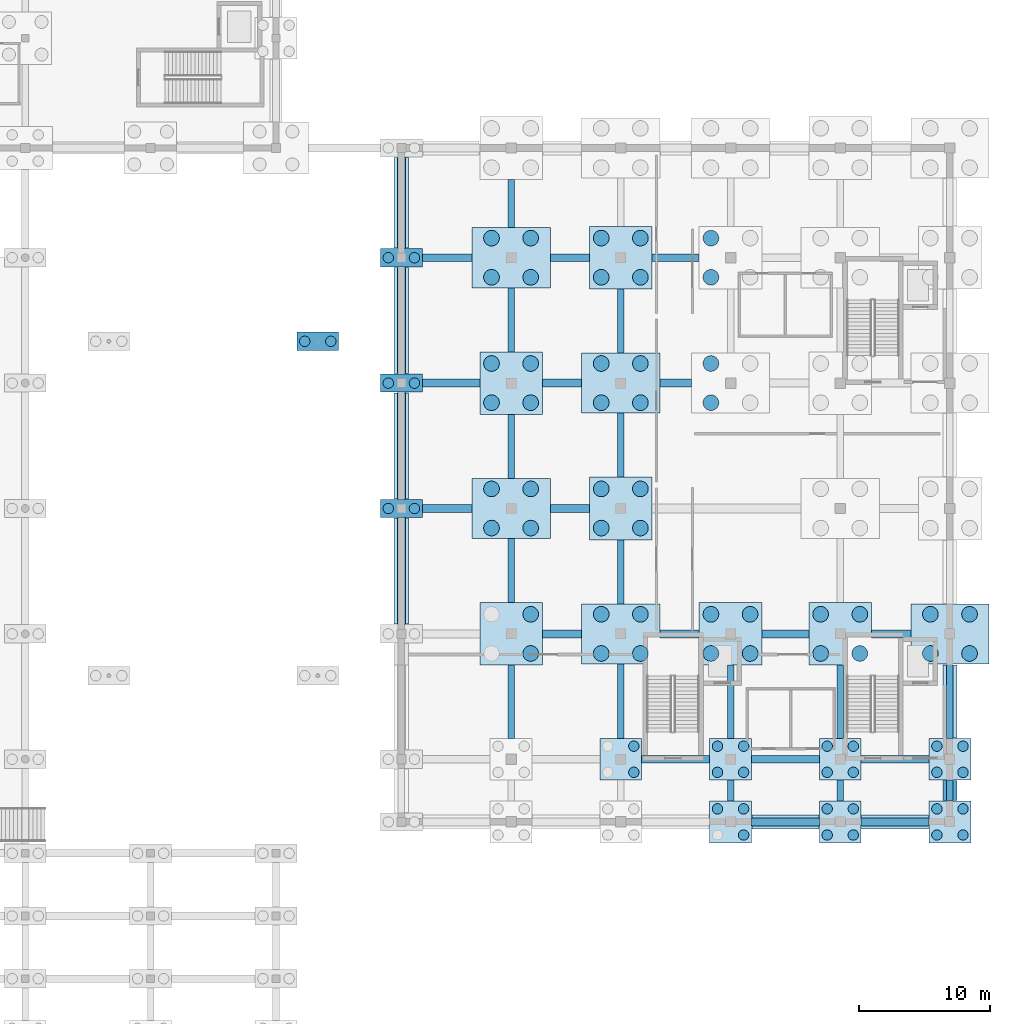
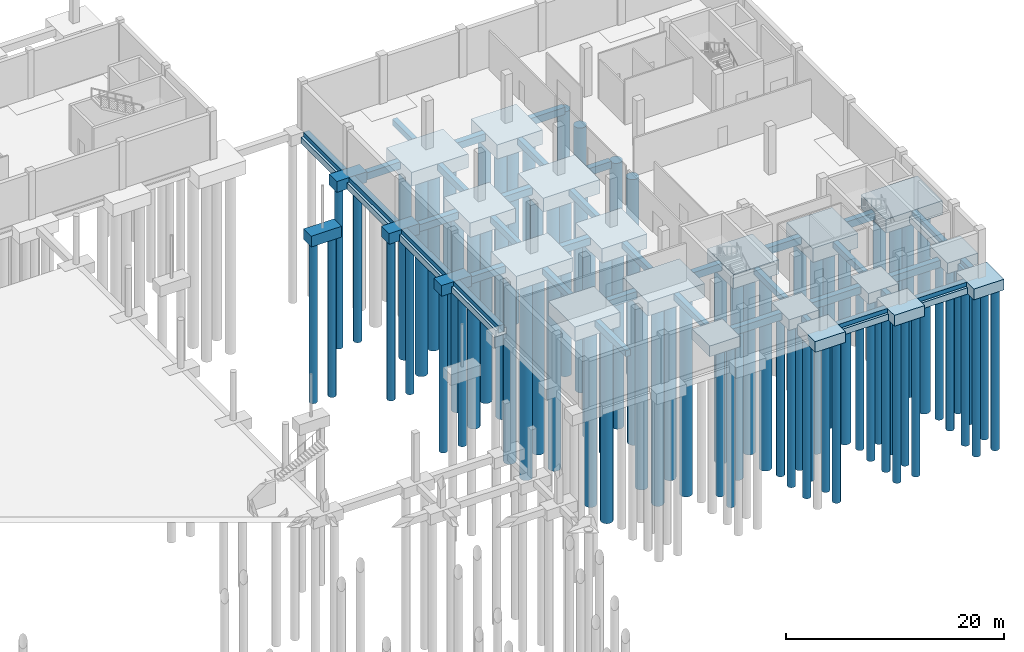
# One storey, part 8 of 41: 79 piles, 66 footings.
"""IFC4 building model written with IfcOpenShell, lengths in metres."""

import ifcopenshell
import ifcopenshell.guid

model = None  # the IFC model being written
_history = None  # IfcOwnerHistory: only IFC2X3 demands one
_inside = {}  # id of a spatial element -> (the spatial element, [elements in it])
_under = {}  # id of a project, library or spatial element -> (it, [spatial elements below it])
_declared = {}  # id of a project -> (the project, [libraries it declares])
_typed = {}  # id of a type object -> (the type object, [elements of that type])
_made_of = {}  # id of a material, layer set ... -> (it, [elements and type objects made of it])


def new_model(schema):
    """Start an empty IFC model of exactly this schema.

    Asked for "IFC4X3", IfcOpenShell would pick the latest addendum, in which some entities
    have other attributes; the version numbers below select the first issue.
    IFC2X3 requires an IfcOwnerHistory on every rooted entity: one is made here for all.
    """
    global model, _history
    if schema == "IFC4X3":
        model = ifcopenshell.file(schema_version=(4, 3, 0, 0))
    else:
        model = ifcopenshell.file(schema=schema)
    _inside.clear()
    _under.clear()
    _declared.clear()
    _typed.clear()
    _made_of.clear()
    _history = None
    if model.schema == "IFC2X3":
        org = make("IfcOrganization", Name="unknown")
        user = make(
            "IfcPersonAndOrganization",
            ThePerson=make("IfcPerson", FamilyName="unknown"),
            TheOrganization=org,
        )
        app = make(
            "IfcApplication",
            ApplicationDeveloper=org,
            Version="unknown",
            ApplicationFullName="unknown",
            ApplicationIdentifier="unknown",
        )
        _history = make(
            "IfcOwnerHistory",
            OwningUser=user,
            OwningApplication=app,
            ChangeAction="ADDED",
            CreationDate=0,
        )
    return model


def make(cls, **values):
    """One entity of the class cls with the attributes given. An attribute that is None is left unset."""
    return model.create_entity(
        cls, **{name: value for name, value in values.items() if value is not None}
    )


def rooted(cls, **values):
    """An entity with a GlobalId (a new one), such as an element, a storey or a relation."""
    return make(cls, GlobalId=ifcopenshell.guid.new(), OwnerHistory=_history, **values)


def si_unit(unit_type, name, prefix=None):
    """IfcSIUnit, for example si_unit("LENGTHUNIT", "METRE", prefix="MILLI")."""
    return make("IfcSIUnit", UnitType=unit_type, Prefix=prefix, Name=name)


def assignment(units):
    """IfcUnitAssignment: the units of a project."""
    return None if units is None else make("IfcUnitAssignment", Units=units)


def point(xyz):
    """IfcCartesianPoint."""
    return None if xyz is None else make("IfcCartesianPoint", Coordinates=xyz)


def direction(xyz):
    """IfcDirection."""
    return None if xyz is None else make("IfcDirection", DirectionRatios=xyz)


def frame(location, z_axis=None, x_axis=None):
    """IfcAxis2Placement3D, a coordinate frame: its origin and axes. An axis left out is left unset."""
    return make(
        "IfcAxis2Placement3D",
        Location=point(location),
        Axis=direction(z_axis),
        RefDirection=direction(x_axis),
    )


def frame_2d(location, x_axis=None):
    """IfcAxis2Placement2D, a coordinate frame in the plane: its origin and x axis."""
    return make(
        "IfcAxis2Placement2D", Location=point(location), RefDirection=direction(x_axis)
    )


def origin():
    """The frame at (0, 0, 0) with its axes left unset."""
    return frame((0.0, 0.0, 0.0))


def origin_2d():
    """The frame at (0, 0) in the plane with its x axis left unset."""
    return frame_2d((0.0, 0.0))


def place(relative_to, where):
    """IfcLocalPlacement: puts the frame where relative to a parent placement (None: the world)."""
    return make(
        "IfcLocalPlacement", PlacementRelTo=relative_to, RelativePlacement=where
    )


def context(
    kind, dimensions, precision=None, world=None, true_north=None, identifier=None
):
    """IfcGeometricRepresentationContext, for example the 3D "Model" context."""
    return make(
        "IfcGeometricRepresentationContext",
        ContextIdentifier=identifier,
        ContextType=kind,
        CoordinateSpaceDimension=dimensions,
        Precision=precision,
        WorldCoordinateSystem=world,
        TrueNorth=true_north,
    )


def subcontext(parent, identifier, kind, view, scale=None):
    """IfcGeometricRepresentationSubContext, for example "Body" below "Model"."""
    return make(
        "IfcGeometricRepresentationSubContext",
        ContextIdentifier=identifier,
        ContextType=kind,
        ParentContext=parent,
        TargetScale=scale,
        TargetView=view,
    )


def project(units=None, contexts=None):
    """IfcProject with its units and contexts."""
    return rooted(
        "IfcProject",
        Name="project",
        RepresentationContexts=contexts,
        UnitsInContext=assignment(units),
    )


def spatial(cls, under=None, at=None, **own):
    """A site, building, storey or space (cls), placed at a placement, below another one or the project."""
    s = rooted(cls, ObjectPlacement=at, **own)
    if under is not None:
        _under.setdefault(under.id(), (under, []))[1].append(s)
    return s


def profile(cls, at=None, kind="AREA", **sizes):
    """A parametric profile (cls). Its sizes go by their IFC names, for example OverallWidth=200.0."""
    return make(cls, ProfileType=kind, Position=at, **sizes)


def rectangle(**sizes):
    """IfcRectangleProfileDef."""
    return profile("IfcRectangleProfileDef", **sizes)


def circle(**sizes):
    """IfcCircleProfileDef."""
    return profile("IfcCircleProfileDef", **sizes)


def extrude(swept, where, along, depth):
    """IfcExtrudedAreaSolid: the profile swept, set in the frame where, extruded along a direction by depth."""
    return make(
        "IfcExtrudedAreaSolid",
        SweptArea=swept,
        Position=where,
        ExtrudedDirection=direction(along),
        Depth=depth,
    )


def shape(context_of_items, identifier, shape_type, items):
    """IfcShapeRepresentation: the items that make up one representation, for example the "Body"."""
    return make(
        "IfcShapeRepresentation",
        ContextOfItems=context_of_items,
        RepresentationIdentifier=identifier,
        RepresentationType=shape_type,
        Items=items,
    )


def material(Name=None, Category=None):
    """IfcMaterial."""
    return make("IfcMaterial", Name=Name, Category=Category)


def material_profile(
    of_material, cross_section, Name=None, Category=None, Priority=None
):
    """IfcMaterialProfile: a cross section and its material."""
    return make(
        "IfcMaterialProfile",
        Name=Name,
        Material=of_material,
        Profile=cross_section,
        Priority=Priority,
        Category=Category,
    )


def profile_set(profiles, Name=None, composite=None):
    """IfcMaterialProfileSet."""
    return make(
        "IfcMaterialProfileSet",
        Name=Name,
        MaterialProfiles=profiles,
        CompositeProfile=composite,
    )


def made_of(thing, what):
    """Note that an element or type object is made of a material, layer set ...; save() writes the relation."""
    if what is not None:
        _made_of.setdefault(what.id(), (what, []))[1].append(thing)
    return thing


def type_object(cls, material=None, **own):
    """A type object (cls), such as IfcWallType, which elements share."""
    return made_of(rooted(cls, **own), material)


def element(
    cls,
    number,
    at=None,
    inside=None,
    cuts=None,
    type_object=None,
    material=None,
    context=None,
    identifier="Body",
    shape_type=None,
    held_by="IfcProductDefinitionShape",
    body=None,
    shapes=None,
    **own,
):
    """One element of the class cls, such as IfcWall. Its Tag is "e" and its number.

    at: its placement. inside: the storey or other place that contains it. cuts: it is an
    opening in that element (IfcRelVoidsElement). A single representation is given by context,
    identifier, shape_type and body (its items); several are given by shapes. held_by: the class
    of the entity that holds the representations. save() writes the other relations.
    """
    e = rooted(cls, Tag="e%d" % number, ObjectPlacement=at, **own)
    if body is not None:
        shapes = [shape(context, identifier, shape_type, body)]
    if shapes is not None:
        e.Representation = make(held_by, Representations=shapes)
    if inside is not None:
        _inside.setdefault(inside.id(), (inside, []))[1].append(e)
    if cuts is not None:
        rooted(
            "IfcRelVoidsElement", RelatingBuildingElement=cuts, RelatedOpeningElement=e
        )
    if type_object is not None:
        _typed.setdefault(type_object.id(), (type_object, []))[1].append(e)
    return made_of(e, material)


def aggregate(whole, parts):
    """IfcRelAggregates: a whole, such as a stair, and the parts it consists of."""
    return rooted("IfcRelAggregates", RelatingObject=whole, RelatedObjects=parts)


def save(model, path):
    """Write the relations noted so far, then the file.

    IfcRelAggregates (storeys below a building ...), IfcRelContainedInSpatialStructure (elements
    in a storey), IfcRelDefinesByType, IfcRelAssociatesMaterial and IfcRelDeclares: one each for
    every whole, place, type object, material and project.
    """
    for whole, parts in _under.values():
        aggregate(whole, parts)
    for where, things in _inside.values():
        rooted(
            "IfcRelContainedInSpatialStructure",
            RelatedElements=things,
            RelatingStructure=where,
        )
    for kind, things in _typed.values():
        rooted("IfcRelDefinesByType", RelatedObjects=things, RelatingType=kind)
    for what, things in _made_of.values():
        rooted("IfcRelAssociatesMaterial", RelatedObjects=things, RelatingMaterial=what)
    for by, libraries in _declared.values():
        rooted("IfcRelDeclares", RelatingContext=by, RelatedDefinitions=libraries)
    model.write(path)


model = new_model("IFC4")

# Units and contexts
model_context = context("Model", 3, precision=1e-05, world=origin(), true_north=direction((0.0, 1.0)))
body_context = subcontext(model_context, "Body", "Model", "MODEL_VIEW")
ifc_project = project(units=[si_unit("LENGTHUNIT", "METRE"), si_unit("AREAUNIT", "SQUARE_METRE"), si_unit("VOLUMEUNIT", "CUBIC_METRE"), si_unit("PLANEANGLEUNIT", "RADIAN"), si_unit("MASSUNIT", "GRAM", prefix="KILO")], contexts=[model_context])

# Site, building, storey
site_placement = place(None, origin())
site = spatial("IfcSite", under=ifc_project, at=site_placement, CompositionType="ELEMENT")
building_placement = place(site_placement, origin())
building = spatial("IfcBuilding", under=site, at=building_placement, Name="Shalvenor Court Art Gallery", CompositionType="ELEMENT")
storey_placement = place(building_placement, frame((0.0, 0.0, -5.39990234375)))
storey = spatial("IfcBuildingStorey", under=building, at=storey_placement, Name="B01", CompositionType="ELEMENT", Elevation=-5.39990234375)

# Footings
ifc_material_1 = material(Name="Concrete C35/45", Category="concrete")
footing_type_1 = type_object("IfcFootingType", Name="GB-01", PredefinedType="FOOTING_BEAM", material=ifc_material_1)
for number, where, z_axis, x_axis, name in (
    (1, (134.39990234375, 64.800048828125, -0.80029296875), (0.0, 0.0, 1.0), (0.0, 1.0, 0.0), "B01 Ground Tie Beam FTG-302"),
    (2, (134.39990234375, 74.39990234375, -0.80029296875), (0.0, 0.0, 1.0), (0.0, 1.0, 0.0), "B01 Ground Tie Beam FTG-303"),
    (3, (134.39990234375, 84.0, -0.80029296875), (0.0, 0.0, 1.0), (0.0, 1.0, 0.0), "B01 Ground Tie Beam FTG-304"),
):
    element("IfcFooting", number, at=place(storey_placement, frame(where, z_axis=z_axis, x_axis=x_axis)), inside=storey, type_object=footing_type_1, Name=name, PredefinedType="FOOTING_BEAM", context=body_context, shape_type="SweptSolid", body=[
        extrude(rectangle(XDim=8.199951171875, YDim=0.60009765625, at=origin_2d()), origin(), (0.0, 0.0, 1.0), 0.800048828125),
    ])
footing_1_placement = place(storey_placement, frame((134.39990234375, 93.0, -0.80029296875), z_axis=(0.0, 0.0, 1.0), x_axis=(0.0, 1.0, 0.0)))
element("IfcFooting", 4, at=footing_1_placement, inside=storey, type_object=footing_type_1, Name="B01 Ground Tie Beam FTG-305", PredefinedType="FOOTING_BEAM", context=body_context, shape_type="SweptSolid", body=[
    extrude(rectangle(XDim=7.0, YDim=0.60009765625, at=origin_2d()), origin(), (0.0, 0.0, 1.0), 0.800048828125),
])
for number, where, z_axis, x_axis, name in (
    (5, (163.800048828125, 45.60009765625, -0.80029296875), (0.0, 0.0, 1.0), (1.0, 0.0, 0.0), "B01 Ground Tie Beam FTG-390"),
    (6, (172.199951171875, 45.60009765625, -0.80029296875), (0.0, 0.0, 1.0), (1.0, 0.0, 0.0), "B01 Ground Tie Beam FTG-391"),
    (7, (155.39990234375, 50.39990234375, -1.26025390625), (0.0, 0.0, 1.0), (1.0, 0.0, 0.0), "B01 Ground Tie Beam FTG-395"),
    (8, (163.800048828125, 50.39990234375, -1.26025390625), (0.0, 0.0, 1.0), (1.0, 0.0, 0.0), "B01 Ground Tie Beam FTG-396"),
    (9, (172.199951171875, 50.39990234375, -1.26025390625), (0.0, 0.0, 1.0), (1.0, 0.0, 0.0), "B01 Ground Tie Beam FTG-397"),
):
    element("IfcFooting", number, at=place(storey_placement, frame(where, z_axis=z_axis, x_axis=x_axis)), inside=storey, type_object=footing_type_1, Name=name, PredefinedType="FOOTING_BEAM", context=body_context, shape_type="SweptSolid", body=[
        extrude(rectangle(XDim=5.199951171875, YDim=0.60009765625, at=origin_2d()), origin(), (0.0, 0.0, 1.0), 0.800048828125),
    ])
for number, where, z_axis, x_axis, name in (
    (10, (146.699951171875, 60.0, -1.26025390625), (0.0, 0.0, 1.0), (1.0, 0.0, 0.0), "B01 Ground Tie Beam FTG-402"),
    (11, (155.699951171875, 60.0, -1.26025390625), (0.0, 0.0, 1.0), (1.0, 0.0, 0.0), "B01 Ground Tie Beam FTG-403"),
):
    element("IfcFooting", number, at=place(storey_placement, frame(where, z_axis=z_axis, x_axis=x_axis)), inside=storey, type_object=footing_type_1, Name=name, PredefinedType="FOOTING_BEAM", context=body_context, shape_type="SweptSolid", body=[
        extrude(rectangle(XDim=3.0, YDim=0.60009765625, at=origin_2d()), origin(), (0.0, 0.0, 1.0), 0.800048828125),
    ])
footing_2_placement = place(storey_placement, frame((163.800048828125, 60.0, -1.26025390625), z_axis=(0.0, 0.0, 1.0), x_axis=(1.0, 0.0, 0.0)))
element("IfcFooting", 12, at=footing_2_placement, inside=storey, type_object=footing_type_1, Name="B01 Ground Tie Beam FTG-404", PredefinedType="FOOTING_BEAM", context=body_context, shape_type="SweptSolid", body=[
    extrude(rectangle(XDim=3.60009765625, YDim=0.60009765625, at=origin_2d()), origin(), (0.0, 0.0, 1.0), 0.800048828125),
])
footing_3_placement = place(storey_placement, frame((171.89990234375, 60.0, -1.26025390625), z_axis=(0.0, 0.0, 1.0), x_axis=(1.0, 0.0, 0.0)))
element("IfcFooting", 13, at=footing_3_placement, inside=storey, type_object=footing_type_1, Name="B01 Ground Tie Beam FTG-405", PredefinedType="FOOTING_BEAM", context=body_context, shape_type="SweptSolid", body=[
    extrude(rectangle(XDim=3.0, YDim=0.60009765625, at=origin_2d()), origin(), (0.0, 0.0, 1.0), 0.800048828125),
])
footing_4_placement = place(storey_placement, frame((137.89990234375, 69.60009765625, -1.26025390625), z_axis=(0.0, 0.0, 1.0), x_axis=(1.0, 0.0, 0.0)))
element("IfcFooting", 14, at=footing_4_placement, inside=storey, type_object=footing_type_1, Name="B01 Ground Tie Beam FTG-410", PredefinedType="FOOTING_BEAM", context=body_context, shape_type="SweptSolid", body=[
    extrude(rectangle(XDim=3.800048828125, YDim=0.60009765625, at=origin_2d()), origin(), (0.0, 0.0, 1.0), 0.800048828125),
])
footing_5_placement = place(storey_placement, frame((147.300048828125, 69.60009765625, -1.26025390625), z_axis=(0.0, 0.0, 1.0), x_axis=(1.0, 0.0, 0.0)))
element("IfcFooting", 15, at=footing_5_placement, inside=storey, type_object=footing_type_1, Name="B01 Ground Tie Beam FTG-411", PredefinedType="FOOTING_BEAM", context=body_context, shape_type="SweptSolid", body=[
    extrude(rectangle(XDim=3.0, YDim=0.60009765625, at=origin_2d()), origin(), (0.0, 0.0, 1.0), 0.800048828125),
])
footing_6_placement = place(storey_placement, frame((138.199951171875, 79.199951171875, -1.26025390625), z_axis=(0.0, 0.0, 1.0), x_axis=(1.0, 0.0, 0.0)))
element("IfcFooting", 16, at=footing_6_placement, inside=storey, type_object=footing_type_1, Name="B01 Ground Tie Beam FTG-418", PredefinedType="FOOTING_BEAM", context=body_context, shape_type="SweptSolid", body=[
    extrude(rectangle(XDim=4.39990234375, YDim=0.60009765625, at=origin_2d()), origin(), (0.0, 0.0, 1.0), 0.800048828125),
])
footing_7_placement = place(storey_placement, frame((146.699951171875, 79.199951171875, -1.26025390625), z_axis=(0.0, 0.0, 1.0), x_axis=(1.0, 0.0, 0.0)))
element("IfcFooting", 17, at=footing_7_placement, inside=storey, type_object=footing_type_1, Name="B01 Ground Tie Beam FTG-419", PredefinedType="FOOTING_BEAM", context=body_context, shape_type="SweptSolid", body=[
    extrude(rectangle(XDim=3.0, YDim=0.60009765625, at=origin_2d()), origin(), (0.0, 0.0, 1.0), 0.800048828125),
])
footing_8_placement = place(storey_placement, frame((155.39990234375, 79.199951171875, -1.26025390625), z_axis=(0.0, 0.0, 1.0), x_axis=(1.0, 0.0, 0.0)))
element("IfcFooting", 18, at=footing_8_placement, inside=storey, type_object=footing_type_1, Name="B01 Ground Tie Beam FTG-420", PredefinedType="FOOTING_BEAM", context=body_context, shape_type="SweptSolid", body=[
    extrude(rectangle(XDim=2.39990234375, YDim=0.60009765625, at=origin_2d()), origin(), (0.0, 0.0, 1.0), 0.800048828125),
])
footing_9_placement = place(storey_placement, frame((137.89990234375, 88.800048828125, -1.26025390625), z_axis=(0.0, 0.0, 1.0), x_axis=(1.0, 0.0, 0.0)))
element("IfcFooting", 19, at=footing_9_placement, inside=storey, type_object=footing_type_1, Name="B01 Ground Tie Beam FTG-427", PredefinedType="FOOTING_BEAM", context=body_context, shape_type="SweptSolid", body=[
    extrude(rectangle(XDim=3.800048828125, YDim=0.60009765625, at=origin_2d()), origin(), (0.0, 0.0, 1.0), 0.800048828125),
])
footing_10_placement = place(storey_placement, frame((147.300048828125, 88.800048828125, -1.26025390625), z_axis=(0.0, 0.0, 1.0), x_axis=(1.0, 0.0, 0.0)))
element("IfcFooting", 20, at=footing_10_placement, inside=storey, type_object=footing_type_1, Name="B01 Ground Tie Beam FTG-428", PredefinedType="FOOTING_BEAM", context=body_context, shape_type="SweptSolid", body=[
    extrude(rectangle(XDim=3.0, YDim=0.60009765625, at=origin_2d()), origin(), (0.0, 0.0, 1.0), 0.800048828125),
])
footing_11_placement = place(storey_placement, frame((155.39990234375, 88.800048828125, -1.26025390625), z_axis=(0.0, 0.0, 1.0), x_axis=(1.0, 0.0, 0.0)))
element("IfcFooting", 21, at=footing_11_placement, inside=storey, type_object=footing_type_1, Name="B01 Ground Tie Beam FTG-429", PredefinedType="FOOTING_BEAM", context=body_context, shape_type="SweptSolid", body=[
    extrude(rectangle(XDim=3.60009765625, YDim=0.60009765625, at=origin_2d()), origin(), (0.0, 0.0, 1.0), 0.800048828125),
])
ifc_material_2 = material(Name="Concrete C35/45", Category="concrete")
footing_type_2 = type_object("IfcFootingType", Name="GB-02", PredefinedType="FOOTING_BEAM", material=ifc_material_2)
footing_12_placement = place(storey_placement, frame((142.800048828125, 54.800048828125, -1.16015625), z_axis=(0.0, 0.0, 1.0), x_axis=(0.0, 1.0, 0.0)))
element("IfcFooting", 22, at=footing_12_placement, inside=storey, type_object=footing_type_2, Name="B01 Ground Tie Beam FTG-307", PredefinedType="FOOTING_BEAM", context=body_context, shape_type="SweptSolid", body=[
    extrude(rectangle(XDim=5.60009765625, YDim=0.5, at=origin_2d()), origin(), (0.0, 0.0, 1.0), 0.699951171875),
])
for number, where, z_axis, x_axis, name in (
    (23, (142.800048828125, 64.85009765625, -1.16015625), (0.0, 0.0, 1.0), (0.0, 1.0, 0.0), "B01 Ground Tie Beam FTG-308"),
    (24, (142.800048828125, 74.35009765625, -1.16015625), (0.0, 0.0, 1.0), (0.0, 1.0, 0.0), "B01 Ground Tie Beam FTG-309"),
    (25, (142.800048828125, 84.050048828125, -1.16015625), (0.0, 0.0, 1.0), (0.0, 1.0, 0.0), "B01 Ground Tie Beam FTG-310"),
):
    element("IfcFooting", number, at=place(storey_placement, frame(where, z_axis=z_axis, x_axis=x_axis)), inside=storey, type_object=footing_type_2, Name=name, PredefinedType="FOOTING_BEAM", context=body_context, shape_type="SweptSolid", body=[
        extrude(rectangle(XDim=4.89990234375, YDim=0.5, at=origin_2d()), origin(), (0.0, 0.0, 1.0), 0.699951171875),
    ])
footing_13_placement = place(storey_placement, frame((142.800048828125, 92.949951171875, -1.16015625), z_axis=(0.0, 0.0, 1.0), x_axis=(0.0, 1.0, 0.0)))
element("IfcFooting", 26, at=footing_13_placement, inside=storey, type_object=footing_type_2, Name="B01 Ground Tie Beam FTG-311", PredefinedType="FOOTING_BEAM", context=body_context, shape_type="SweptSolid", body=[
    extrude(rectangle(XDim=3.699951171875, YDim=0.5, at=origin_2d()), origin(), (0.0, 0.0, 1.0), 0.699951171875),
])
footing_14_placement = place(storey_placement, frame((151.199951171875, 54.85009765625, -1.16015625), z_axis=(0.0, 0.0, 1.0), x_axis=(0.0, 1.0, 0.0)))
element("IfcFooting", 27, at=footing_14_placement, inside=storey, type_object=footing_type_2, Name="B01 Ground Tie Beam FTG-313", PredefinedType="FOOTING_BEAM", context=body_context, shape_type="SweptSolid", body=[
    extrude(rectangle(XDim=5.699951171875, YDim=0.5, at=origin_2d()), origin(), (0.0, 0.0, 1.0), 0.699951171875),
])
for number, where, z_axis, x_axis, name in (
    (28, (151.199951171875, 64.75, -1.16015625), (0.0, 0.0, 1.0), (0.0, 1.0, 0.0), "B01 Ground Tie Beam FTG-314"),
    (29, (151.199951171875, 74.449951171875, -1.16015625), (0.0, 0.0, 1.0), (0.0, 1.0, 0.0), "B01 Ground Tie Beam FTG-315"),
    (30, (151.199951171875, 83.949951171875, -1.16015625), (0.0, 0.0, 1.0), (0.0, 1.0, 0.0), "B01 Ground Tie Beam FTG-316"),
):
    element("IfcFooting", number, at=place(storey_placement, frame(where, z_axis=z_axis, x_axis=x_axis)), inside=storey, type_object=footing_type_2, Name=name, PredefinedType="FOOTING_BEAM", context=body_context, shape_type="SweptSolid", body=[
        extrude(rectangle(XDim=4.89990234375, YDim=0.5, at=origin_2d()), origin(), (0.0, 0.0, 1.0), 0.699951171875),
    ])
footing_15_placement = place(storey_placement, frame((159.60009765625, 48.0, -1.16015625), z_axis=(0.0, 0.0, 1.0), x_axis=(0.0, 1.0, 0.0)))
element("IfcFooting", 31, at=footing_15_placement, inside=storey, type_object=footing_type_2, Name="B01 Ground Tie Beam FTG-318", PredefinedType="FOOTING_BEAM", context=body_context, shape_type="SweptSolid", body=[
    extrude(rectangle(XDim=1.60009765625, YDim=0.5, at=origin_2d()), origin(), (0.0, 0.0, 1.0), 0.699951171875),
])
footing_16_placement = place(storey_placement, frame((159.60009765625, 54.800048828125, -1.16015625), z_axis=(0.0, 0.0, 1.0), x_axis=(0.0, 1.0, 0.0)))
element("IfcFooting", 32, at=footing_16_placement, inside=storey, type_object=footing_type_2, Name="B01 Ground Tie Beam FTG-319", PredefinedType="FOOTING_BEAM", context=body_context, shape_type="SweptSolid", body=[
    extrude(rectangle(XDim=5.60009765625, YDim=0.5, at=origin_2d()), origin(), (0.0, 0.0, 1.0), 0.699951171875),
])
footing_17_placement = place(storey_placement, frame((168.0, 48.0, -1.16015625), z_axis=(0.0, 0.0, 1.0), x_axis=(0.0, 1.0, 0.0)))
element("IfcFooting", 33, at=footing_17_placement, inside=storey, type_object=footing_type_2, Name="B01 Ground Tie Beam FTG-322", PredefinedType="FOOTING_BEAM", context=body_context, shape_type="SweptSolid", body=[
    extrude(rectangle(XDim=1.60009765625, YDim=0.5, at=origin_2d()), origin(), (0.0, 0.0, 1.0), 0.699951171875),
])
footing_18_placement = place(storey_placement, frame((168.0, 54.800048828125, -1.16015625), z_axis=(0.0, 0.0, 1.0), x_axis=(0.0, 1.0, 0.0)))
element("IfcFooting", 34, at=footing_18_placement, inside=storey, type_object=footing_type_2, Name="B01 Ground Tie Beam FTG-323", PredefinedType="FOOTING_BEAM", context=body_context, shape_type="SweptSolid", body=[
    extrude(rectangle(XDim=5.60009765625, YDim=0.5, at=origin_2d()), origin(), (0.0, 0.0, 1.0), 0.699951171875),
])
footing_19_placement = place(storey_placement, frame((176.39990234375, 48.0, -0.7001953125), z_axis=(0.0, 0.0, 1.0), x_axis=(0.0, 1.0, 0.0)))
element("IfcFooting", 35, at=footing_19_placement, inside=storey, type_object=footing_type_2, Name="B01 Ground Tie Beam FTG-328", PredefinedType="FOOTING_BEAM", context=body_context, shape_type="SweptSolid", body=[
    extrude(rectangle(XDim=1.60009765625, YDim=0.5, at=origin_2d()), origin(), (0.0, 0.0, 1.0), 0.699951171875),
])
footing_20_placement = place(storey_placement, frame((176.39990234375, 54.85009765625, -0.7001953125), z_axis=(0.0, 0.0, 1.0), x_axis=(0.0, 1.0, 0.0)))
element("IfcFooting", 36, at=footing_20_placement, inside=storey, type_object=footing_type_2, Name="B01 Ground Tie Beam FTG-329", PredefinedType="FOOTING_BEAM", context=body_context, shape_type="SweptSolid", body=[
    extrude(rectangle(XDim=5.699951171875, YDim=0.5, at=origin_2d()), origin(), (0.0, 0.0, 1.0), 0.699951171875),
])
ifc_material_3 = material(Name="Concrete C35/45", Category="concrete")
footing_type_3 = type_object("IfcFootingType", Name="PC-01", PredefinedType="PILE_CAP", material=ifc_material_3)
for number, where, z_axis, x_axis, name in (
    (37, (134.39990234375, 69.60009765625, -1.2001953125), (0.0, 0.0, 1.0), (1.0, 0.0, 0.0), "B01 Pile Cap FTG-147"),
    (38, (134.39990234375, 79.199951171875, -1.2001953125), (0.0, 0.0, 1.0), (1.0, 0.0, 0.0), "B01 Pile Cap FTG-148"),
    (39, (134.39990234375, 88.800048828125, -1.2001953125), (0.0, 0.0, 1.0), (1.0, 0.0, 0.0), "B01 Pile Cap FTG-149"),
    (40, (128.0, 82.39990234375, -1.2001953125), (0.0, 0.0, 1.0), (1.0, 0.0, 0.0), "B01 Pool Basin Cap FTG-188"),
):
    element("IfcFooting", number, at=place(storey_placement, frame(where, z_axis=z_axis, x_axis=x_axis)), inside=storey, type_object=footing_type_3, Name=name, PredefinedType="PILE_CAP", context=body_context, shape_type="SweptSolid", body=[
        extrude(rectangle(XDim=3.199951171875, YDim=1.39990234375, at=origin_2d()), origin(), (0.0, 0.0, 1.0), 1.199951171875),
    ])
ifc_material_4 = material(Name="Concrete C35/45", Category="concrete")
footing_type_4 = type_object("IfcFootingType", Name="PC-02", PredefinedType="PILE_CAP", material=ifc_material_4)
for number, where, z_axis, x_axis, name in (
    (41, (151.199951171875, 50.39990234375, -1.66015625), (0.0, 0.0, 1.0), (1.0, 0.0, 0.0), "B01 Pile Cap FTG-159"),
    (42, (159.60009765625, 45.60009765625, -1.2001953125), (0.0, 0.0, 1.0), (1.0, 0.0, 0.0), "B01 Pile Cap FTG-165"),
    (43, (159.60009765625, 50.39990234375, -1.66015625), (0.0, 0.0, 1.0), (1.0, 0.0, 0.0), "B01 Pile Cap FTG-166"),
    (44, (168.0, 45.60009765625, -1.2001953125), (0.0, 0.0, 1.0), (1.0, 0.0, 0.0), "B01 Pile Cap FTG-171"),
    (45, (168.0, 50.39990234375, -1.66015625), (0.0, 0.0, 1.0), (1.0, 0.0, 0.0), "B01 Pile Cap FTG-172"),
    (46, (176.39990234375, 45.60009765625, -1.2001953125), (0.0, 0.0, 1.0), (1.0, 0.0, 0.0), "B01 Pile Cap FTG-178"),
    (47, (176.39990234375, 50.39990234375, -1.2001953125), (0.0, 0.0, 1.0), (1.0, 0.0, 0.0), "B01 Pile Cap FTG-179"),
):
    element("IfcFooting", number, at=place(storey_placement, frame(where, z_axis=z_axis, x_axis=x_axis)), inside=storey, type_object=footing_type_4, Name=name, PredefinedType="PILE_CAP", context=body_context, shape_type="SweptSolid", body=[
        extrude(rectangle(XDim=3.199951171875, YDim=3.199951171875, at=origin_2d()), origin(), (0.0, 0.0, 1.0), 1.199951171875),
    ])
ifc_material_5 = material(Name="Concrete C35/45", Category="concrete")
footing_type_5 = type_object("IfcFootingType", Name="PC-08", PredefinedType="PILE_CAP", material=ifc_material_5)
for number, where, z_axis, x_axis, name in (
    (48, (142.800048828125, 60.0, -2.06005859375), (0.0, 0.0, 1.0), (1.0, 0.0, 0.0), "B01 Pile Cap FTG-153"),
    (49, (142.800048828125, 79.199951171875, -2.06005859375), (0.0, 0.0, 1.0), (1.0, 0.0, 0.0), "B01 Pile Cap FTG-155"),
    (50, (151.199951171875, 69.60009765625, -2.06005859375), (0.0, 0.0, 1.0), (1.0, 0.0, 0.0), "B01 Pile Cap FTG-161"),
    (51, (151.199951171875, 88.800048828125, -2.06005859375), (0.0, 0.0, 1.0), (1.0, 0.0, 0.0), "B01 Pile Cap FTG-163"),
    (52, (159.60009765625, 60.0, -2.06005859375), (0.0, 0.0, 1.0), (1.0, 0.0, 0.0), "B01 Pile Cap FTG-167"),
    (53, (168.0, 60.0, -2.06005859375), (0.0, 0.0, 1.0), (1.0, 0.0, 0.0), "B01 Pile Cap FTG-173"),
):
    element("IfcFooting", number, at=place(storey_placement, frame(where, z_axis=z_axis, x_axis=x_axis)), inside=storey, type_object=footing_type_5, Name=name, PredefinedType="PILE_CAP", context=body_context, shape_type="SweptSolid", body=[
        extrude(rectangle(XDim=4.800048828125, YDim=4.800048828125, at=origin_2d()), origin(), (0.0, 0.0, 1.0), 1.60009765625),
    ])
ifc_material_6 = material(Name="Concrete C35/45", Category="concrete")
footing_type_6 = type_object("IfcFootingType", Name="PC-09", PredefinedType="PILE_CAP", material=ifc_material_6)
for number, where, z_axis, x_axis, name in (
    (54, (142.800048828125, 69.60009765625, -2.01025390625), (0.0, 0.0, 1.0), (1.0, 0.0, 0.0), "B01 Pile Cap FTG-154"),
    (55, (142.800048828125, 88.800048828125, -2.01025390625), (0.0, 0.0, 1.0), (1.0, 0.0, 0.0), "B01 Pile Cap FTG-156"),
    (56, (151.199951171875, 60.0, -2.01025390625), (0.0, 0.0, 1.0), (1.0, 0.0, 0.0), "B01 Pile Cap FTG-160"),
    (57, (151.199951171875, 79.199951171875, -2.01025390625), (0.0, 0.0, 1.0), (1.0, 0.0, 0.0), "B01 Pile Cap FTG-162"),
    (58, (176.39990234375, 60.0, -1.55029296875), (0.0, 0.0, 1.0), (1.0, 0.0, 0.0), "B01 Pile Cap FTG-180"),
):
    element("IfcFooting", number, at=place(storey_placement, frame(where, z_axis=z_axis, x_axis=x_axis)), inside=storey, type_object=footing_type_6, Name=name, PredefinedType="PILE_CAP", context=body_context, shape_type="SweptSolid", body=[
        extrude(rectangle(XDim=6.0, YDim=4.60009765625, at=origin_2d()), origin(), (0.0, 0.0, 1.0), 1.550048828125),
    ])

# Piles
ifc_material_7 = material(Name="Concrete C35/45", Category="concrete")
ifc_material_profile_1 = material_profile(ifc_material_7, circle(Radius=0.60009765625, at=origin_2d()), Name="PILE 1200")
ifc_profile_set_1 = profile_set([ifc_material_profile_1], Name="Concrete C35/45")
pile_type_1 = type_object("IfcPileType", Name="PL-1200", PredefinedType="BORED", material=ifc_profile_set_1)
for number, where, z_axis, x_axis, name in (
    (59, (144.300048828125, 58.5, -1.960205078125), (0.0, 0.0, -1.0), (1.0, 0.0, 0.0), "B01 Bored Pile PIL-PL-1200-0508"),
    (60, (144.300048828125, 61.5, -1.960205078125), (0.0, 0.0, -1.0), (1.0, 0.0, 0.0), "B01 Bored Pile PIL-PL-1200-0510"),
    (61, (141.300048828125, 68.10009765625, -1.91015625), (0.0, 0.0, -1.0), (1.0, 0.0, 0.0), "B01 Bored Pile PIL-PL-1200-0511"),
    (62, (144.300048828125, 68.10009765625, -1.91015625), (0.0, 0.0, -1.0), (1.0, 0.0, 0.0), "B01 Bored Pile PIL-PL-1200-0512"),
    (63, (141.300048828125, 71.10009765625, -1.91015625), (0.0, 0.0, -1.0), (1.0, 0.0, 0.0), "B01 Bored Pile PIL-PL-1200-0513"),
    (64, (144.300048828125, 71.10009765625, -1.91015625), (0.0, 0.0, -1.0), (1.0, 0.0, 0.0), "B01 Bored Pile PIL-PL-1200-0514"),
    (65, (141.300048828125, 77.699951171875, -1.960205078125), (0.0, 0.0, -1.0), (1.0, 0.0, 0.0), "B01 Bored Pile PIL-PL-1200-0515"),
    (66, (144.300048828125, 77.699951171875, -1.960205078125), (0.0, 0.0, -1.0), (1.0, 0.0, 0.0), "B01 Bored Pile PIL-PL-1200-0516"),
    (67, (141.300048828125, 80.699951171875, -1.960205078125), (0.0, 0.0, -1.0), (1.0, 0.0, 0.0), "B01 Bored Pile PIL-PL-1200-0517"),
    (68, (144.300048828125, 80.699951171875, -1.960205078125), (0.0, 0.0, -1.0), (1.0, 0.0, 0.0), "B01 Bored Pile PIL-PL-1200-0518"),
    (69, (141.300048828125, 87.300048828125, -1.91015625), (0.0, 0.0, -1.0), (1.0, 0.0, 0.0), "B01 Bored Pile PIL-PL-1200-0519"),
    (70, (144.300048828125, 87.300048828125, -1.91015625), (0.0, 0.0, -1.0), (1.0, 0.0, 0.0), "B01 Bored Pile PIL-PL-1200-0520"),
    (71, (141.300048828125, 90.300048828125, -1.91015625), (0.0, 0.0, -1.0), (1.0, 0.0, 0.0), "B01 Bored Pile PIL-PL-1200-0521"),
    (72, (144.300048828125, 90.300048828125, -1.91015625), (0.0, 0.0, -1.0), (1.0, 0.0, 0.0), "B01 Bored Pile PIL-PL-1200-0522"),
    (73, (149.699951171875, 58.5, -1.91015625), (0.0, 0.0, -1.0), (1.0, 0.0, 0.0), "B01 Bored Pile PIL-PL-1200-0535"),
    (74, (152.699951171875, 58.5, -1.91015625), (0.0, 0.0, -1.0), (1.0, 0.0, 0.0), "B01 Bored Pile PIL-PL-1200-0536"),
    (75, (149.699951171875, 61.5, -1.91015625), (0.0, 0.0, -1.0), (1.0, 0.0, 0.0), "B01 Bored Pile PIL-PL-1200-0537"),
    (76, (152.699951171875, 61.5, -1.91015625), (0.0, 0.0, -1.0), (1.0, 0.0, 0.0), "B01 Bored Pile PIL-PL-1200-0538"),
    (77, (149.699951171875, 68.10009765625, -1.960205078125), (0.0, 0.0, -1.0), (1.0, 0.0, 0.0), "B01 Bored Pile PIL-PL-1200-0539"),
    (78, (152.699951171875, 68.10009765625, -1.960205078125), (0.0, 0.0, -1.0), (1.0, 0.0, 0.0), "B01 Bored Pile PIL-PL-1200-0540"),
    (79, (149.699951171875, 71.10009765625, -1.960205078125), (0.0, 0.0, -1.0), (1.0, 0.0, 0.0), "B01 Bored Pile PIL-PL-1200-0541"),
    (80, (152.699951171875, 71.10009765625, -1.960205078125), (0.0, 0.0, -1.0), (1.0, 0.0, 0.0), "B01 Bored Pile PIL-PL-1200-0542"),
    (81, (149.699951171875, 77.699951171875, -1.91015625), (0.0, 0.0, -1.0), (1.0, 0.0, 0.0), "B01 Bored Pile PIL-PL-1200-0543"),
    (82, (152.699951171875, 77.699951171875, -1.91015625), (0.0, 0.0, -1.0), (1.0, 0.0, 0.0), "B01 Bored Pile PIL-PL-1200-0544"),
    (83, (149.699951171875, 80.699951171875, -1.91015625), (0.0, 0.0, -1.0), (1.0, 0.0, 0.0), "B01 Bored Pile PIL-PL-1200-0545"),
    (84, (152.699951171875, 80.699951171875, -1.91015625), (0.0, 0.0, -1.0), (1.0, 0.0, 0.0), "B01 Bored Pile PIL-PL-1200-0546"),
    (85, (149.699951171875, 87.300048828125, -1.960205078125), (0.0, 0.0, -1.0), (1.0, 0.0, 0.0), "B01 Bored Pile PIL-PL-1200-0547"),
    (86, (152.699951171875, 87.300048828125, -1.960205078125), (0.0, 0.0, -1.0), (1.0, 0.0, 0.0), "B01 Bored Pile PIL-PL-1200-0548"),
    (87, (149.699951171875, 90.300048828125, -1.960205078125), (0.0, 0.0, -1.0), (1.0, 0.0, 0.0), "B01 Bored Pile PIL-PL-1200-0549"),
    (88, (152.699951171875, 90.300048828125, -1.960205078125), (0.0, 0.0, -1.0), (1.0, 0.0, 0.0), "B01 Bored Pile PIL-PL-1200-0550"),
    (89, (158.10009765625, 58.5, -1.960205078125), (0.0, 0.0, -1.0), (1.0, 0.0, 0.0), "B01 Bored Pile PIL-PL-1200-0563"),
    (90, (161.10009765625, 58.5, -1.960205078125), (0.0, 0.0, -1.0), (1.0, 0.0, 0.0), "B01 Bored Pile PIL-PL-1200-0564"),
    (91, (158.10009765625, 61.5, -1.960205078125), (0.0, 0.0, -1.0), (1.0, 0.0, 0.0), "B01 Bored Pile PIL-PL-1200-0565"),
    (92, (161.10009765625, 61.5, -1.960205078125), (0.0, 0.0, -1.0), (1.0, 0.0, 0.0), "B01 Bored Pile PIL-PL-1200-0566"),
    (93, (158.10009765625, 77.699951171875, -1.91015625), (0.0, 0.0, -1.0), (1.0, 0.0, 0.0), "B01 Bored Pile PIL-PL-1200-0567"),
    (94, (158.10009765625, 80.699951171875, -1.91015625), (0.0, 0.0, -1.0), (1.0, 0.0, 0.0), "B01 Bored Pile PIL-PL-1200-0569"),
    (95, (158.10009765625, 87.300048828125, -1.960205078125), (0.0, 0.0, -1.0), (1.0, 0.0, 0.0), "B01 Bored Pile PIL-PL-1200-0571"),
    (96, (158.10009765625, 90.300048828125, -1.960205078125), (0.0, 0.0, -1.0), (1.0, 0.0, 0.0), "B01 Bored Pile PIL-PL-1200-0573"),
    (97, (166.5, 58.5, -1.960205078125), (0.0, 0.0, -1.0), (1.0, 0.0, 0.0), "B01 Bored Pile PIL-PL-1200-0587"),
    (98, (169.5, 58.5, -1.960205078125), (0.0, 0.0, -1.0), (1.0, 0.0, 0.0), "B01 Bored Pile PIL-PL-1200-0588"),
    (99, (166.5, 61.5, -1.960205078125), (0.0, 0.0, -1.0), (1.0, 0.0, 0.0), "B01 Bored Pile PIL-PL-1200-0589"),
    (100, (169.5, 61.5, -1.960205078125), (0.0, 0.0, -1.0), (1.0, 0.0, 0.0), "B01 Bored Pile PIL-PL-1200-0590"),
    (101, (174.89990234375, 58.5, -1.4501953125), (0.0, 0.0, -1.0), (1.0, 0.0, 0.0), "B01 Bored Pile PIL-PL-1200-0615"),
    (102, (177.89990234375, 58.5, -1.4501953125), (0.0, 0.0, -1.0), (1.0, 0.0, 0.0), "B01 Bored Pile PIL-PL-1200-0616"),
    (103, (174.89990234375, 61.5, -1.4501953125), (0.0, 0.0, -1.0), (1.0, 0.0, 0.0), "B01 Bored Pile PIL-PL-1200-0617"),
    (104, (177.89990234375, 61.5, -1.4501953125), (0.0, 0.0, -1.0), (1.0, 0.0, 0.0), "B01 Bored Pile PIL-PL-1200-0618"),
):
    element("IfcPile", number, at=place(storey_placement, frame(where, z_axis=z_axis, x_axis=x_axis)), inside=storey, type_object=pile_type_1, Name=name, PredefinedType="BORED", context=body_context, shape_type="SweptSolid", body=[
        extrude(circle(Radius=0.60009765625, at=origin_2d()), origin(), (0.0, 0.0, 1.0), 22.0),
    ])
ifc_material_8 = material(Name="Concrete C35/45", Category="concrete")
ifc_material_profile_2 = material_profile(ifc_material_8, circle(Radius=0.39990234375, at=origin_2d()), Name="PILE 800")
ifc_profile_set_2 = profile_set([ifc_material_profile_2], Name="Concrete C35/45")
pile_type_2 = type_object("IfcPileType", Name="PL-800", PredefinedType="BORED", material=ifc_profile_set_2)
for number, where, z_axis, x_axis, name in (
    (105, (133.39990234375, 69.60009765625, -1.10009765625), (0.0, 0.0, -1.0), (1.0, 0.0, 0.0), "B01 Bored Pile PIL-PL-800-0491"),
    (106, (135.39990234375, 69.60009765625, -1.10009765625), (0.0, 0.0, -1.0), (1.0, 0.0, 0.0), "B01 Bored Pile PIL-PL-800-0492"),
    (107, (133.39990234375, 79.199951171875, -1.10009765625), (0.0, 0.0, -1.0), (1.0, 0.0, 0.0), "B01 Bored Pile PIL-PL-800-0493"),
    (108, (135.39990234375, 79.199951171875, -1.10009765625), (0.0, 0.0, -1.0), (1.0, 0.0, 0.0), "B01 Bored Pile PIL-PL-800-0494"),
    (109, (133.39990234375, 88.800048828125, -1.10009765625), (0.0, 0.0, -1.0), (1.0, 0.0, 0.0), "B01 Bored Pile PIL-PL-800-0495"),
    (110, (135.39990234375, 88.800048828125, -1.10009765625), (0.0, 0.0, -1.0), (1.0, 0.0, 0.0), "B01 Bored Pile PIL-PL-800-0496"),
    (111, (152.199951171875, 49.39990234375, -1.56005859375), (0.0, 0.0, -1.0), (1.0, 0.0, 0.0), "B01 Bored Pile PIL-PL-800-0532"),
    (112, (152.199951171875, 51.39990234375, -1.56005859375), (0.0, 0.0, -1.0), (1.0, 0.0, 0.0), "B01 Bored Pile PIL-PL-800-0534"),
    (113, (160.60009765625, 44.60009765625, -1.10009765625), (0.0, 0.0, -1.0), (1.0, 0.0, 0.0), "B01 Bored Pile PIL-PL-800-0556"),
    (114, (158.60009765625, 46.60009765625, -1.10009765625), (0.0, 0.0, -1.0), (1.0, 0.0, 0.0), "B01 Bored Pile PIL-PL-800-0557"),
    (115, (160.60009765625, 46.60009765625, -1.10009765625), (0.0, 0.0, -1.0), (1.0, 0.0, 0.0), "B01 Bored Pile PIL-PL-800-0558"),
    (116, (158.60009765625, 49.39990234375, -1.56005859375), (0.0, 0.0, -1.0), (1.0, 0.0, 0.0), "B01 Bored Pile PIL-PL-800-0559"),
    (117, (160.60009765625, 49.39990234375, -1.56005859375), (0.0, 0.0, -1.0), (1.0, 0.0, 0.0), "B01 Bored Pile PIL-PL-800-0560"),
    (118, (158.60009765625, 51.39990234375, -1.56005859375), (0.0, 0.0, -1.0), (1.0, 0.0, 0.0), "B01 Bored Pile PIL-PL-800-0561"),
    (119, (160.60009765625, 51.39990234375, -1.56005859375), (0.0, 0.0, -1.0), (1.0, 0.0, 0.0), "B01 Bored Pile PIL-PL-800-0562"),
    (120, (167.0, 44.60009765625, -1.10009765625), (0.0, 0.0, -1.0), (1.0, 0.0, 0.0), "B01 Bored Pile PIL-PL-800-0579"),
    (121, (169.0, 44.60009765625, -1.10009765625), (0.0, 0.0, -1.0), (1.0, 0.0, 0.0), "B01 Bored Pile PIL-PL-800-0580"),
    (122, (167.0, 46.60009765625, -1.10009765625), (0.0, 0.0, -1.0), (1.0, 0.0, 0.0), "B01 Bored Pile PIL-PL-800-0581"),
    (123, (169.0, 46.60009765625, -1.10009765625), (0.0, 0.0, -1.0), (1.0, 0.0, 0.0), "B01 Bored Pile PIL-PL-800-0582"),
    (124, (167.0, 49.39990234375, -1.56005859375), (0.0, 0.0, -1.0), (1.0, 0.0, 0.0), "B01 Bored Pile PIL-PL-800-0583"),
    (125, (169.0, 49.39990234375, -1.56005859375), (0.0, 0.0, -1.0), (1.0, 0.0, 0.0), "B01 Bored Pile PIL-PL-800-0584"),
    (126, (167.0, 51.39990234375, -1.56005859375), (0.0, 0.0, -1.0), (1.0, 0.0, 0.0), "B01 Bored Pile PIL-PL-800-0585"),
    (127, (169.0, 51.39990234375, -1.56005859375), (0.0, 0.0, -1.0), (1.0, 0.0, 0.0), "B01 Bored Pile PIL-PL-800-0586"),
    (128, (175.39990234375, 44.60009765625, -1.10009765625), (0.0, 0.0, -1.0), (1.0, 0.0, 0.0), "B01 Bored Pile PIL-PL-800-0607"),
    (129, (177.39990234375, 44.60009765625, -1.10009765625), (0.0, 0.0, -1.0), (1.0, 0.0, 0.0), "B01 Bored Pile PIL-PL-800-0608"),
    (130, (175.39990234375, 46.60009765625, -1.10009765625), (0.0, 0.0, -1.0), (1.0, 0.0, 0.0), "B01 Bored Pile PIL-PL-800-0609"),
    (131, (177.39990234375, 46.60009765625, -1.10009765625), (0.0, 0.0, -1.0), (1.0, 0.0, 0.0), "B01 Bored Pile PIL-PL-800-0610"),
    (132, (175.39990234375, 49.39990234375, -1.10009765625), (0.0, 0.0, -1.0), (1.0, 0.0, 0.0), "B01 Bored Pile PIL-PL-800-0611"),
    (133, (177.39990234375, 49.39990234375, -1.10009765625), (0.0, 0.0, -1.0), (1.0, 0.0, 0.0), "B01 Bored Pile PIL-PL-800-0612"),
    (134, (175.39990234375, 51.39990234375, -1.10009765625), (0.0, 0.0, -1.0), (1.0, 0.0, 0.0), "B01 Bored Pile PIL-PL-800-0613"),
    (135, (177.39990234375, 51.39990234375, -1.10009765625), (0.0, 0.0, -1.0), (1.0, 0.0, 0.0), "B01 Bored Pile PIL-PL-800-0614"),
    (136, (127.0, 82.39990234375, -1.10009765625), (0.0, 0.0, -1.0), (1.0, 0.0, 0.0), "B01 Bored Pile PIL-PL-800-0641"),
    (137, (129.0, 82.39990234375, -1.10009765625), (0.0, 0.0, -1.0), (1.0, 0.0, 0.0), "B01 Bored Pile PIL-PL-800-0642"),
):
    element("IfcPile", number, at=place(storey_placement, frame(where, z_axis=z_axis, x_axis=x_axis)), inside=storey, type_object=pile_type_2, Name=name, PredefinedType="BORED", context=body_context, shape_type="SweptSolid", body=[
        extrude(circle(Radius=0.39990234375, at=origin_2d()), origin(), (0.0, 0.0, 1.0), 18.0),
    ])

# Footings
ifc_material_9 = material(Name="Concrete C35/45", Category="concrete")
footing_type_7 = type_object("IfcFootingType", Name="SF-02", PredefinedType="STRIP_FOOTING", material=ifc_material_9)
footing_21_placement = place(storey_placement, frame((176.39990234375, 54.820068359375, -1.16015625), z_axis=(0.0, 0.0, 1.0), x_axis=(0.0, 1.0, 0.0)))
element("IfcFooting", 138, at=footing_21_placement, inside=storey, type_object=footing_type_7, Name="B01 Strip Footing FTG-485", PredefinedType="STRIP_FOOTING", context=body_context, shape_type="SweptSolid", body=[
    extrude(rectangle(XDim=5.56005859375, YDim=1.10009765625, at=origin_2d()), origin(), (0.0, 0.0, 1.0), 0.699951171875),
])
footing_22_placement = place(storey_placement, frame((176.39990234375, 48.0, -1.16015625), z_axis=(0.0, 0.0, 1.0), x_axis=(0.0, 1.0, 0.0)))
element("IfcFooting", 139, at=footing_22_placement, inside=storey, type_object=footing_type_7, Name="B01 Strip Footing FTG-486", PredefinedType="STRIP_FOOTING", context=body_context, shape_type="SweptSolid", body=[
    extrude(rectangle(XDim=1.52001953125, YDim=1.10009765625, at=origin_2d()), origin(), (0.0, 0.0, 1.0), 0.699951171875),
])
for number, where, z_axis, x_axis, name in (
    (140, (172.199951171875, 45.60009765625, -1.16015625), (0.0, 0.0, 1.0), (1.0, 0.0, 0.0), "B01 Strip Footing FTG-487"),
    (141, (163.800048828125, 45.60009765625, -1.16015625), (0.0, 0.0, 1.0), (1.0, 0.0, 0.0), "B01 Strip Footing FTG-488"),
):
    element("IfcFooting", number, at=place(storey_placement, frame(where, z_axis=z_axis, x_axis=x_axis)), inside=storey, type_object=footing_type_7, Name=name, PredefinedType="STRIP_FOOTING", context=body_context, shape_type="SweptSolid", body=[
        extrude(rectangle(XDim=5.1201171875, YDim=1.10009765625, at=origin_2d()), origin(), (0.0, 0.0, 1.0), 0.699951171875),
    ])
for number, where, z_axis, x_axis, name in (
    (142, (134.39990234375, 64.800048828125, -1.16015625), (0.0, 0.0, 1.0), (0.0, 1.0, 0.0), "B01 Strip Footing FTG-495"),
    (143, (134.39990234375, 74.39990234375, -1.16015625), (0.0, 0.0, 1.0), (0.0, 1.0, 0.0), "B01 Strip Footing FTG-496"),
    (144, (134.39990234375, 84.0, -1.16015625), (0.0, 0.0, 1.0), (0.0, 1.0, 0.0), "B01 Strip Footing FTG-497"),
):
    element("IfcFooting", number, at=place(storey_placement, frame(where, z_axis=z_axis, x_axis=x_axis)), inside=storey, type_object=footing_type_7, Name=name, PredefinedType="STRIP_FOOTING", context=body_context, shape_type="SweptSolid", body=[
        extrude(rectangle(XDim=8.1201171875, YDim=1.10009765625, at=origin_2d()), origin(), (0.0, 0.0, 1.0), 0.699951171875),
    ])
footing_23_placement = place(storey_placement, frame((134.39990234375, 93.0, -1.16015625), z_axis=(0.0, 0.0, 1.0), x_axis=(0.0, 1.0, 0.0)))
element("IfcFooting", 145, at=footing_23_placement, inside=storey, type_object=footing_type_7, Name="B01 Strip Footing FTG-498", PredefinedType="STRIP_FOOTING", context=body_context, shape_type="SweptSolid", body=[
    extrude(rectangle(XDim=6.919921875, YDim=1.10009765625, at=origin_2d()), origin(), (0.0, 0.0, 1.0), 0.699951171875),
])

save(model, "model.ifc")
